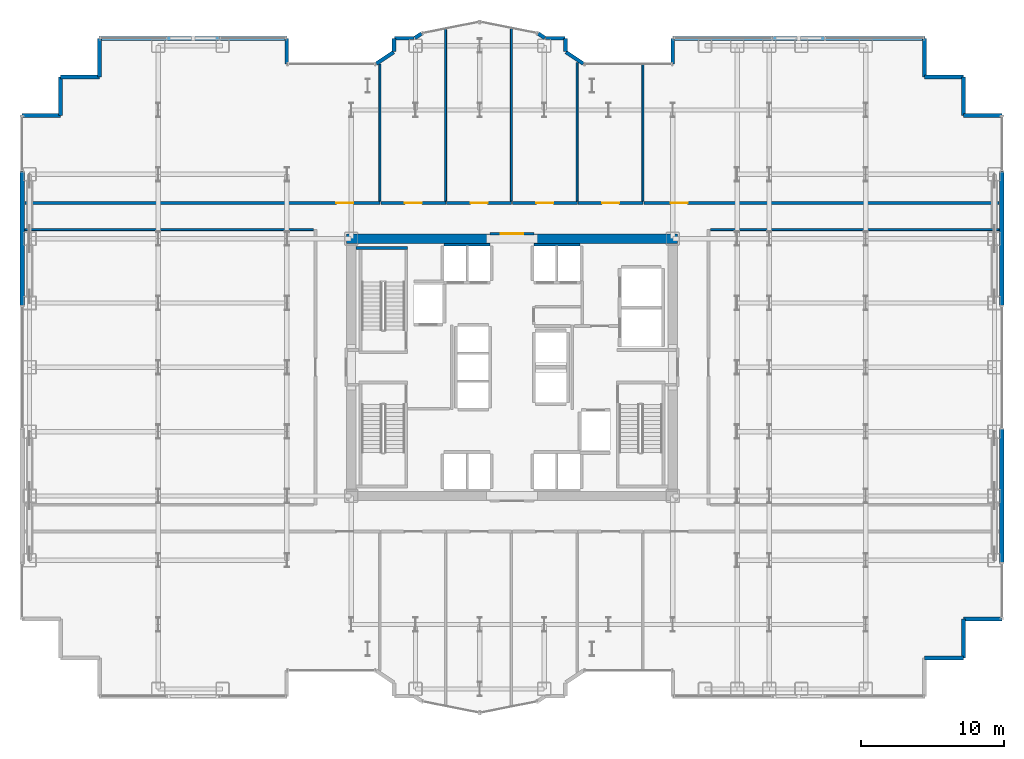
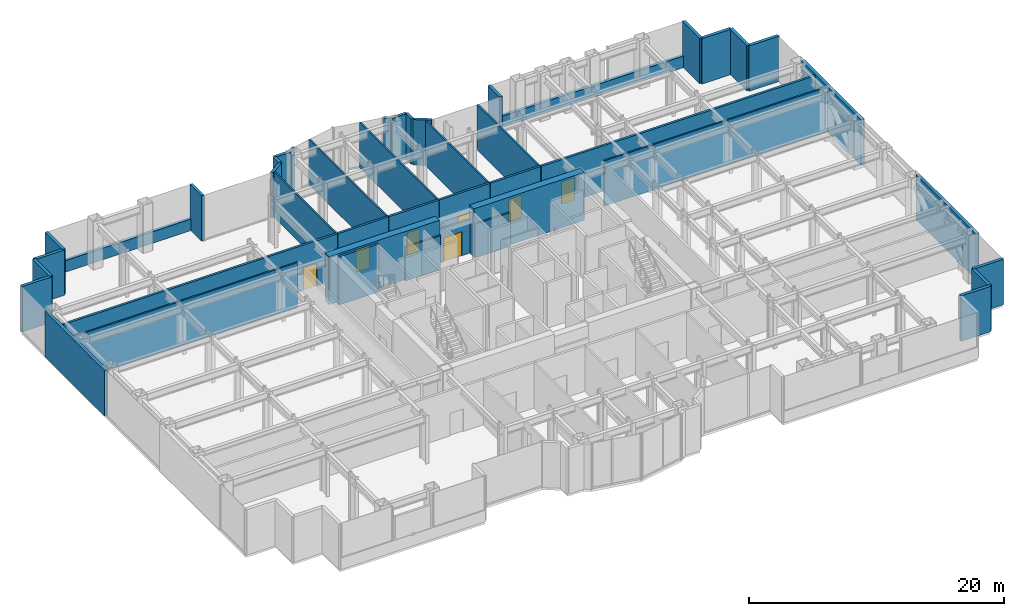
# One storey, part 25 of 30: 45 walls, 7 doors, 7 openings.
"""IFC4 building model written with IfcOpenShell, lengths in metres."""

from ifc_helpers import new_model, si_unit, direction, frame, frame_2d, origin, place, context, subcontext, project, spatial, rectangle, extrude, source, transform, mapped, material, layer, layer_set, type_object, element, fill, save


model = new_model("IFC4")

# Units and contexts
model_context = context("Model", 3, precision=1e-05, world=origin(), true_north=direction((0.0, 1.0)))
body_context = subcontext(model_context, "Body", "Model", "MODEL_VIEW")
ifc_project = project(units=[si_unit("LENGTHUNIT", "METRE"), si_unit("AREAUNIT", "SQUARE_METRE"), si_unit("VOLUMEUNIT", "CUBIC_METRE"), si_unit("PLANEANGLEUNIT", "RADIAN"), si_unit("MASSUNIT", "GRAM", prefix="KILO")], contexts=[model_context])

# Site, building, storey
site_placement = place(None, origin())
site = spatial("IfcSite", under=ifc_project, at=site_placement, CompositionType="ELEMENT")
building_placement = place(site_placement, origin())
building = spatial("IfcBuilding", under=site, at=building_placement, Name="Nefas-Gora Pilgrimage Tower", CompositionType="ELEMENT")
storey_placement = place(building_placement, frame((0.0, 0.0, 86.199951171875)))
storey = spatial("IfcBuildingStorey", under=building, at=storey_placement, Name="L20", CompositionType="ELEMENT", Elevation=86.199951171875)

# Walls
ifc_material_1 = material(Name="Concrete C60/75", Category="concrete")
ifc_layer_1 = layer(ifc_material_1, 0.64990234375)
ifc_layer_set_1 = layer_set([ifc_layer_1], Name="Concrete C60/75")
wall_type_1 = type_object("IfcWallType", Name="SW-CORE-650", PredefinedType="SHEAR", material=ifc_layer_set_1)
shared_shape_1 = source(origin(), body_context, "Body", "SweptSolid", [
    extrude(rectangle(XDim=10.02490234375, YDim=0.64990234375, at=frame_2d((5.012451171875, 0.0))), origin(), (0.0, 0.0, 1.0), 4.60009765625),
])
for number, where, z_axis, x_axis, name in (
    (1, (-11.574951171875, 9.0, 0.0), (0.0, 0.0, 1.0), (1.0, 0.0, 0.0), "L20 Core Shear Wall N-West"),
    (2, (1.550048828125, 9.0, 0.0), (0.0, 0.0, 1.0), (1.0, 0.0, 0.0), "L20 Core Shear Wall N-East"),
):
    element("IfcWall", number, at=place(storey_placement, frame(where, z_axis=z_axis, x_axis=x_axis)), inside=storey, type_object=wall_type_1, Name=name, PredefinedType="SHEAR", context=body_context, shape_type="MappedRepresentation", body=[
        mapped(shared_shape_1, transform((0.0, 0.0, 0.0), x_axis=(1.0, 0.0, 0.0), y_axis=(0.0, 1.0, 0.0), z_axis=(0.0, 0.0, 1.0), scale=1.0)),
    ])
ifc_material_2 = material(Name="Precast concrete C45/55", Category="concrete")
ifc_layer_2 = layer(ifc_material_2, 0.239990234375)
ifc_layer_set_2 = layer_set([ifc_layer_2], Name="Precast concrete C45/55")
wall_type_2 = type_object("IfcWallType", Name="EW-SERR-240", PredefinedType="SHEAR", material=ifc_layer_set_2)
shared_shape_2 = source(origin(), body_context, "Body", "SweptSolid", [
    extrude(rectangle(XDim=9.3798828125, YDim=0.300048828125, at=frame_2d((4.68994140625, 0.0))), origin(), (0.0, 0.0, 1.0), 4.35009765625),
])
for number, where, z_axis, x_axis, name in (
    (3, (-34.27001953125, 4.31005859375, 0.0), (0.0, 0.0, 1.0), (0.0, 1.0, 0.0), "L20 Belt-Truss Precast Shear Cladding 2"),
    (4, (34.27001953125, -13.68994140625, 0.0), (0.0, 0.0, 1.0), (0.0, 1.0, 0.0), "L20 Belt-Truss Precast Shear Cladding 3"),
    (5, (34.27001953125, 4.31005859375, 0.0), (0.0, 0.0, 1.0), (0.0, 1.0, 0.0), "L20 Belt-Truss Precast Shear Cladding 4"),
):
    element("IfcWall", number, at=place(storey_placement, frame(where, z_axis=z_axis, x_axis=x_axis)), inside=storey, type_object=wall_type_2, Name=name, PredefinedType="SHEAR", context=body_context, shape_type="MappedRepresentation", body=[
        mapped(shared_shape_2, transform((0.0, 0.0, 0.0), x_axis=(1.0, 0.0, 0.0), y_axis=(0.0, 1.0, 0.0), z_axis=(0.0, 0.0, 1.0), scale=1.0)),
    ])
ifc_material_3 = material(Name="Precast concrete C40/50", Category="concrete")
ifc_layer_3 = layer(ifc_material_3, 0.260009765625)
ifc_layer_set_3 = layer_set([ifc_layer_3], Name="Precast concrete C40/50")
wall_type_3 = type_object("IfcWallType", Name="EW-PORTAL-260", PredefinedType="SOLIDWALL", material=ifc_layer_set_3)
shared_shape_3 = source(origin(), body_context, "Body", "SweptSolid", [
    extrude(rectangle(XDim=1.800048828125, YDim=0.260009765625, at=frame_2d((0.89990234375, 0.0))), origin(), (0.0, 0.0, 1.0), 4.35009765625),
])
for number, where, z_axis, x_axis, name in (
    (6, (11.25, 23.02001953125, 0.0), (0.0, 0.0, 1.0), (0.0, -1.0, 0.0), "L20 Lobe Shoulder Precast Spandrel Pier 16"),
    (7, (-15.75, 21.219970703125, 0.0), (0.0, 0.0, 1.0), (0.0, 1.0, 0.0), "L20 Lobe Shoulder Precast Spandrel Pier 25"),
):
    element("IfcWall", number, at=place(storey_placement, frame(where, z_axis=z_axis, x_axis=x_axis)), inside=storey, type_object=wall_type_3, Name=name, PredefinedType="SOLIDWALL", context=body_context, shape_type="MappedRepresentation", body=[
        mapped(shared_shape_3, transform((0.0, 0.0, 0.0), x_axis=(1.0, 0.0, 0.0), y_axis=(0.0, 1.0, 0.0), z_axis=(0.0, 0.0, 1.0), scale=1.0)),
    ])
ifc_layer_4 = layer(ifc_material_2, 0.280029296875)
ifc_layer_set_4 = layer_set([ifc_layer_4], Name="Precast concrete C45/55")
wall_type_4 = type_object("IfcWallType", Name="EW-PLANT-280", PredefinedType="SOLIDWALL", material=ifc_layer_set_4)
shared_shape_4 = source(origin(), body_context, "Body", "SweptSolid", [
    extrude(rectangle(XDim=17.6201171875, YDim=0.280029296875, at=frame_2d((8.81005859375, 0.0))), origin(), (0.0, 0.0, 1.0), 1.10009765625),
])
wall_1_placement = place(storey_placement, frame((28.8701171875, 23.02001953125, 0.0), z_axis=(0.0, 0.0, 1.0), x_axis=(-1.0, 0.0, 0.0)))
element("IfcWall", 8, at=wall_1_placement, inside=storey, type_object=wall_type_4, Name="L20 Plant Upstand Spandrel Wall 15", PredefinedType="SOLIDWALL", context=body_context, shape_type="MappedRepresentation", body=[
    mapped(shared_shape_4, transform((0.0, 0.0, 0.0), x_axis=(1.0, 0.0, 0.0), y_axis=(0.0, 1.0, 0.0), z_axis=(0.0, 0.0, 1.0), scale=1.0)),
])
shared_shape_5 = source(origin(), body_context, "Body", "SweptSolid", [
    extrude(rectangle(XDim=2.699951171875, YDim=0.280029296875, at=frame_2d((1.35009765625, 0.0))), origin(), (0.0, 0.0, 1.0), 4.35009765625),
])
for number, where, z_axis, x_axis, name in (
    (9, (28.8701171875, -20.320068359375, 0.0), (0.0, 0.0, 1.0), (1.0, 0.0, 0.0), "L20 Serrated Corner Shear Pier Wall 8"),
    (10, (31.570068359375, -20.320068359375, 0.0), (0.0, 0.0, 1.0), (0.0, 1.0, 0.0), "L20 Serrated Corner Shear Pier Wall 9"),
    (11, (31.570068359375, -17.6201171875, 0.0), (0.0, 0.0, 1.0), (1.0, 0.0, 0.0), "L20 Serrated Corner Shear Pier Wall 10"),
    (12, (34.27001953125, 17.6201171875, 0.0), (0.0, 0.0, 1.0), (-1.0, 0.0, 0.0), "L20 Serrated Corner Shear Pier Wall 11"),
    (13, (31.570068359375, 17.6201171875, 0.0), (0.0, 0.0, 1.0), (0.0, 1.0, 0.0), "L20 Serrated Corner Shear Pier Wall 12"),
    (14, (31.570068359375, 20.320068359375, 0.0), (0.0, 0.0, 1.0), (-1.0, 0.0, 0.0), "L20 Serrated Corner Shear Pier Wall 13"),
    (15, (28.8701171875, 20.320068359375, 0.0), (0.0, 0.0, 1.0), (0.0, 1.0, 0.0), "L20 Serrated Corner Shear Pier Wall 14"),
    (16, (-28.8701171875, 23.02001953125, 0.0), (0.0, 0.0, 1.0), (0.0, -1.0, 0.0), "L20 Serrated Corner Shear Pier Wall 27"),
    (17, (-28.8701171875, 20.320068359375, 0.0), (0.0, 0.0, 1.0), (-1.0, 0.0, 0.0), "L20 Serrated Corner Shear Pier Wall 28"),
    (18, (-31.570068359375, 20.320068359375, 0.0), (0.0, 0.0, 1.0), (0.0, -1.0, 0.0), "L20 Serrated Corner Shear Pier Wall 29"),
    (19, (-31.570068359375, 17.6201171875, 0.0), (0.0, 0.0, 1.0), (-1.0, 0.0, 0.0), "L20 Serrated Corner Shear Pier Wall 30"),
):
    element("IfcWall", number, at=place(storey_placement, frame(where, z_axis=z_axis, x_axis=x_axis)), inside=storey, type_object=wall_type_4, Name=name, PredefinedType="SOLIDWALL", context=body_context, shape_type="MappedRepresentation", body=[
        mapped(shared_shape_5, transform((0.0, 0.0, 0.0), x_axis=(1.0, 0.0, 0.0), y_axis=(0.0, 1.0, 0.0), z_axis=(0.0, 0.0, 1.0), scale=1.0)),
    ])
shared_shape_6 = source(origin(), body_context, "Body", "SweptSolid", [
    extrude(rectangle(XDim=1.468994140625, YDim=0.260009765625, at=frame_2d((0.734375, 0.0))), origin(), (0.0, 0.0, 1.0), 4.35009765625),
])
for number, where, z_axis, x_axis, name in (
    (20, (4.99462890625, 21.235595703125, 0.0), (0.0, 0.0, 1.0), (-0.831461760506, 0.555581983884, 0.0), "L20 Lobe Shoulder Precast Spandrel Pier 17"),
    (21, (-8.273193359375, 22.0517578125, 0.0), (0.0, 0.0, 1.0), (-0.831461760506, -0.555581983884, 0.0), "L20 Lobe Shoulder Precast Spandrel Pier 24"),
):
    element("IfcWall", number, at=place(storey_placement, frame(where, z_axis=z_axis, x_axis=x_axis)), inside=storey, type_object=wall_type_3, Name=name, PredefinedType="SOLIDWALL", context=body_context, shape_type="MappedRepresentation", body=[
        mapped(shared_shape_6, transform((0.0, 0.0, 0.0), x_axis=(1.0, 0.0, 0.0), y_axis=(0.0, 1.0, 0.0), z_axis=(0.0, 0.0, 1.0), scale=1.0)),
    ])
shared_shape_7 = source(origin(), body_context, "Body", "SweptSolid", [
    extrude(rectangle(XDim=0.896728515625, YDim=0.260009765625, at=frame_2d((0.4482421875, 0.0))), origin(), (0.0, 0.0, 1.0), 4.35009765625),
])
for number, where, z_axis, x_axis, name in (
    (22, (3.75, 22.09521484375, 0.0), (0.0, 0.0, 1.0), (0.0, 1.0, 0.0), "L20 Lobe Shoulder Precast Spandrel Pier 18"),
    (23, (-8.25, 22.991943359375, 0.0), (0.0, 0.0, 1.0), (0.0, -1.0, 0.0), "L20 Lobe Shoulder Precast Spandrel Pier 23"),
):
    element("IfcWall", number, at=place(storey_placement, frame(where, z_axis=z_axis, x_axis=x_axis)), inside=storey, type_object=wall_type_3, Name=name, PredefinedType="SOLIDWALL", context=body_context, shape_type="MappedRepresentation", body=[
        mapped(shared_shape_7, transform((0.0, 0.0, 0.0), x_axis=(1.0, 0.0, 0.0), y_axis=(0.0, 1.0, 0.0), z_axis=(0.0, 0.0, 1.0), scale=1.0)),
    ])
shared_shape_8 = source(origin(), body_context, "Body", "SweptSolid", [
    extrude(rectangle(XDim=1.369873046875, YDim=0.260009765625, at=frame_2d((0.68505859375, 0.0))), origin(), (0.0, 0.0, 1.0), 4.35009765625),
])
for number, where, z_axis, x_axis, name in (
    (24, (3.721923828125, 23.02001953125, 0.0), (0.0, 0.0, 1.0), (-1.0, 0.0, 0.0), "L20 Lobe Shoulder Precast Spandrel Pier 19"),
    (25, (-6.85205078125, 23.02001953125, 0.0), (0.0, 0.0, 1.0), (-1.0, 0.0, 0.0), "L20 Lobe Shoulder Precast Spandrel Pier 22"),
):
    element("IfcWall", number, at=place(storey_placement, frame(where, z_axis=z_axis, x_axis=x_axis)), inside=storey, type_object=wall_type_3, Name=name, PredefinedType="SOLIDWALL", context=body_context, shape_type="MappedRepresentation", body=[
        mapped(shared_shape_8, transform((0.0, 0.0, 0.0), x_axis=(1.0, 0.0, 0.0), y_axis=(0.0, 1.0, 0.0), z_axis=(0.0, 0.0, 1.0), scale=1.0)),
    ])
shared_shape_9 = source(origin(), body_context, "Body", "SweptSolid", [
    extrude(rectangle(XDim=0.5654296875, YDim=0.260009765625, at=frame_2d((0.28271484375, 0.0))), origin(), (0.0, 0.0, 1.0), 4.35009765625),
])
for number, where, z_axis, x_axis, name in (
    (26, (2.30078125, 23.03564453125, 0.0), (0.0, 0.0, 1.0), (-0.831651492666, 0.555297933317, 0.0), "L20 Lobe Shoulder Precast Spandrel Pier 20"),
    (27, (-6.33056640625, 23.349609375, 0.0), (0.0, 0.0, 1.0), (-0.831651492666, -0.555297933317, 0.0), "L20 Lobe Shoulder Precast Spandrel Pier 21"),
):
    element("IfcWall", number, at=place(storey_placement, frame(where, z_axis=z_axis, x_axis=x_axis)), inside=storey, type_object=wall_type_3, Name=name, PredefinedType="SOLIDWALL", context=body_context, shape_type="MappedRepresentation", body=[
        mapped(shared_shape_9, transform((0.0, 0.0, 0.0), x_axis=(1.0, 0.0, 0.0), y_axis=(0.0, 1.0, 0.0), z_axis=(0.0, 0.0, 1.0), scale=1.0)),
    ])
shared_shape_10 = source(origin(), body_context, "Body", "SweptSolid", [
    extrude(rectangle(XDim=13.1201171875, YDim=0.280029296875, at=frame_2d((6.56005859375, 0.0))), origin(), (0.0, 0.0, 1.0), 1.10009765625),
])
wall_2_placement = place(storey_placement, frame((-15.75, 23.02001953125, 0.0), z_axis=(0.0, 0.0, 1.0), x_axis=(-1.0, 0.0, 0.0)))
element("IfcWall", 28, at=wall_2_placement, inside=storey, type_object=wall_type_4, Name="L20 Plant Upstand Spandrel Wall 26", PredefinedType="SOLIDWALL", context=body_context, shape_type="MappedRepresentation", body=[
    mapped(shared_shape_10, transform((0.0, 0.0, 0.0), x_axis=(1.0, 0.0, 0.0), y_axis=(0.0, 1.0, 0.0), z_axis=(0.0, 0.0, 1.0), scale=1.0)),
])
ifc_material_4 = material(Name="Concrete C45/55", Category="concrete")
ifc_layer_5 = layer(ifc_material_4, 0.199951171875)
ifc_layer_set_5 = layer_set([ifc_layer_5], Name="Concrete C45/55")
wall_type_5 = type_object("IfcWallType", Name="IW-STAIR-200", PredefinedType="SOLIDWALL", material=ifc_layer_set_5)
shared_shape_11 = source(origin(), body_context, "Body", "SweptSolid", [
    extrude(rectangle(XDim=3.6298828125, YDim=0.199951171875, at=frame_2d((1.81494140625, 0.0))), origin(), (0.0, 0.0, 1.0), 4.60009765625),
])
wall_3_placement = place(storey_placement, frame((-7.300048828125, 8.35009765625, 0.0), z_axis=(0.0, 0.0, 1.0), x_axis=(-1.0, 0.0, 0.0)))
element("IfcWall", 29, at=wall_3_placement, inside=storey, type_object=wall_type_5, Name="L20 Stairwell Shear Wall ST-01-far", PredefinedType="SOLIDWALL", context=body_context, shape_type="MappedRepresentation", body=[
    mapped(shared_shape_11, transform((0.0, 0.0, 0.0), x_axis=(1.0, 0.0, 0.0), y_axis=(0.0, 1.0, 0.0), z_axis=(0.0, 0.0, 1.0), scale=1.0)),
])
ifc_material_5 = material(Name="Gypsum acoustic stud partition")
ifc_layer_6 = layer(ifc_material_5, 0.159912109375)
ifc_layer_set_6 = layer_set([ifc_layer_6], Name="Gypsum acoustic stud partition")
wall_type_6 = type_object("IfcWallType", Name="IW-CORR-160", PredefinedType="PARTITIONING", material=ifc_layer_set_6)
shared_shape_12 = source(origin(), body_context, "Body", "SweptSolid", [
    extrude(rectangle(XDim=3.199951171875, YDim=0.159912109375, at=frame_2d((1.60009765625, 0.0))), origin(), (0.0, 0.0, 1.0), 3.22509765625),
])
for number, where, z_axis, x_axis, name in (
    (30, (-1.550048828125, 8.580078125, 0.0), (0.0, 0.0, 1.0), (-1.0, 0.0, 0.0), "L20 Hoistway Wall PL1-W-N"),
    (31, (4.75, 8.580078125, 0.0), (0.0, 0.0, 1.0), (-1.0, 0.0, 0.0), "L20 Hoistway Wall PL1-E-N"),
):
    element("IfcWall", number, at=place(storey_placement, frame(where, z_axis=z_axis, x_axis=x_axis)), inside=storey, type_object=wall_type_6, Name=name, PredefinedType="PARTITIONING", context=body_context, shape_type="MappedRepresentation", body=[
        mapped(shared_shape_12, transform((0.0, 0.0, 0.0), x_axis=(1.0, 0.0, 0.0), y_axis=(0.0, 1.0, 0.0), z_axis=(0.0, 0.0, 1.0), scale=1.0)),
    ])

# Wall, opening, door
shared_shape_13 = source(origin(), body_context, "Body", "SweptSolid", [
    extrude(rectangle(XDim=3.08984375, YDim=0.159912109375, at=frame_2d((1.544921875, 0.0))), origin(), (0.0, 0.0, 1.0), 3.22509765625),
])
wall_4_placement = place(storey_placement, frame((-1.544921875, 9.35009765625, 0.0), z_axis=(0.0, 0.0, 1.0), x_axis=(1.0, 0.0, 0.0)))
wall_4 = element("IfcWall", 32, at=wall_4_placement, inside=storey, type_object=wall_type_6, Name="L20 Central Lift Lobby North Portal Wall 14", PredefinedType="PARTITIONING", context=body_context, shape_type="MappedRepresentation", body=[
    mapped(shared_shape_13, transform((0.0, 0.0, 0.0), x_axis=(1.0, 0.0, 0.0), y_axis=(0.0, 1.0, 0.0), z_axis=(0.0, 0.0, 1.0), scale=1.0)),
])
opening_1_placement = place(wall_4_placement, frame((0.7451171875, 0.0, 0.0)))
opening_1 = element("IfcOpeningElement", 33, at=opening_1_placement, cuts=wall_4, Name="Opening ID-HL1", PredefinedType="OPENING", context=body_context, shape_type="SweptSolid", body=[
    extrude(rectangle(XDim=1.60009765625, YDim=2.300048828125, at=frame_2d((0.800048828125, 1.14990234375))), frame((0.0, 0.08984375, 0.0), z_axis=(0.0, -1.0, 0.0), x_axis=(1.0, 0.0, 0.0)), (0.0, 0.0, 1.0), 0.179931640625),
])
ifc_material_6 = material(Name="Double acoustic timber assembly hall door", Category="wood")
door_type_1 = type_object("IfcDoorType", Name="DR-INT-HALL-1600", OperationType="DOUBLE_DOOR_SINGLE_SWING", PredefinedType="DOOR", material=ifc_material_6)
shared_shape_14 = source(origin(), body_context, "Body", "SweptSolid", [
    extrude(rectangle(XDim=1.60009765625, YDim=2.300048828125, at=frame_2d((0.800048828125, 1.14990234375))), frame((0.0, 0.02490234375, 0.0), z_axis=(0.0, -1.0, 0.0), x_axis=(1.0, 0.0, 0.0)), (0.0, 0.0, 1.0), 0.050048828125),
])
door_1_placement = place(opening_1_placement, origin())
door_1 = element("IfcDoor", 34, at=door_1_placement, inside=storey, type_object=door_type_1, Name="L20 Central Lift Lobby North Portal Door 4", OperationType="DOUBLE_DOOR_SINGLE_SWING", OverallHeight=2.300048828125, OverallWidth=1.60009765625, PredefinedType="DOOR", context=body_context, shape_type="MappedRepresentation", body=[
    mapped(shared_shape_14, transform((0.0, 0.0, 0.0), x_axis=(1.0, 0.0, 0.0), y_axis=(0.0, 1.0, 0.0), z_axis=(0.0, 0.0, 1.0), scale=1.0)),
])
fill(opening_1, door_1)

# Walls
ifc_material_7 = material(Name="Gypsum twin-stud partition")
ifc_layer_7 = layer(ifc_material_7, 0.139892578125)
ifc_layer_set_7 = layer_set([ifc_layer_7], Name="Gypsum twin-stud partition")
wall_type_7 = type_object("IfcWallType", Name="IW-UNIT-140", PredefinedType="PARTITIONING", material=ifc_layer_set_7)
shared_shape_15 = source(origin(), body_context, "Body", "SweptSolid", [
    extrude(rectangle(XDim=20.190185546875, YDim=0.139892578125, at=frame_2d((10.09521484375, 0.0))), origin(), (0.0, 0.0, 1.0), 4.3349609375),
])
for number, where, z_axis, x_axis, name in (
    (35, (-34.080078125, 9.6298828125, 0.0), (0.0, 0.0, 1.0), (1.0, 0.0, 0.0), "L20 Refuge Area West Partition Wall 21"),
    (36, (13.889892578125, 9.6298828125, 0.0), (0.0, 0.0, 1.0), (1.0, 0.0, 0.0), "L20 Refuge Area East Partition Wall 23"),
):
    element("IfcWall", number, at=place(storey_placement, frame(where, z_axis=z_axis, x_axis=x_axis)), inside=storey, type_object=wall_type_7, Name=name, PredefinedType="PARTITIONING", context=body_context, shape_type="MappedRepresentation", body=[
        mapped(shared_shape_15, transform((0.0, 0.0, 0.0), x_axis=(1.0, 0.0, 0.0), y_axis=(0.0, 1.0, 0.0), z_axis=(0.0, 0.0, 1.0), scale=1.0)),
    ])

# Wall, opening, door
ifc_material_8 = material(Name="Concrete C40/50", Category="concrete")
ifc_layer_8 = layer(ifc_material_8, 0.199951171875)
ifc_layer_set_8 = layer_set([ifc_layer_8], Name="Concrete C40/50")
wall_type_8 = type_object("IfcWallType", Name="IW-PLANT-200", PredefinedType="SOLIDWALL", material=ifc_layer_set_8)
shared_shape_16 = source(origin(), body_context, "Body", "SweptSolid", [
    extrude(rectangle(XDim=24.85009765625, YDim=0.199951171875, at=frame_2d((12.425048828125, 0.0))), origin(), (0.0, 0.0, 1.0), 4.3349609375),
])
wall_5_placement = place(storey_placement, frame((-34.080078125, 11.489990234375, 0.0), z_axis=(0.0, 0.0, 1.0), x_axis=(1.0, 0.0, 0.0)))
wall_5 = element("IfcWall", 37, at=wall_5_placement, inside=storey, type_object=wall_type_8, Name="L20 Water-Cooled Chiller Plant Room Partition Wall 25", PredefinedType="SOLIDWALL", context=body_context, shape_type="MappedRepresentation", body=[
    mapped(shared_shape_16, transform((0.0, 0.0, 0.0), x_axis=(1.0, 0.0, 0.0), y_axis=(0.0, 1.0, 0.0), z_axis=(0.0, 0.0, 1.0), scale=1.0)),
])
opening_2_placement = place(wall_5_placement, frame((21.7861328125, 0.0, 0.0)))
opening_2 = element("IfcOpeningElement", 38, at=opening_2_placement, cuts=wall_5, Name="Opening ID-PL1", PredefinedType="OPENING", context=body_context, shape_type="SweptSolid", body=[
    extrude(rectangle(XDim=1.199951171875, YDim=2.14990234375, at=frame_2d((0.60009765625, 1.074951171875))), frame((0.0, 0.10986328125, 0.0), z_axis=(0.0, -1.0, 0.0), x_axis=(1.0, 0.0, 0.0)), (0.0, 0.0, 1.0), 0.219970703125),
])
ifc_material_9 = material(Name="Heavy-duty steel plant room fire door", Category="steel")
door_type_2 = type_object("IfcDoorType", Name="DR-INT-PLANT-1200", OperationType="NOTDEFINED", PredefinedType="DOOR", material=ifc_material_9)
shared_shape_17 = source(origin(), body_context, "Body", "SweptSolid", [
    extrude(rectangle(XDim=1.199951171875, YDim=2.14990234375, at=frame_2d((0.60009765625, 1.074951171875))), frame((0.0, 0.02490234375, 0.0), z_axis=(0.0, -1.0, 0.0), x_axis=(1.0, 0.0, 0.0)), (0.0, 0.0, 1.0), 0.050048828125),
])
door_2_placement = place(opening_2_placement, origin())
door_2 = element("IfcDoor", 39, at=door_2_placement, inside=storey, type_object=door_type_2, Name="L20 Water-Cooled Chiller Plant Room Door 9", OperationType="SINGLE_SWING_RIGHT", OverallHeight=2.14990234375, OverallWidth=1.199951171875, PredefinedType="DOOR", context=body_context, shape_type="MappedRepresentation", body=[
    mapped(shared_shape_17, transform((0.0, 0.0, 0.0), x_axis=(1.0, 0.0, 0.0), y_axis=(0.0, 1.0, 0.0), z_axis=(0.0, 0.0, 1.0), scale=1.0)),
])
fill(opening_2, door_2)

wall_6_placement = place(storey_placement, frame((9.22998046875, 11.489990234375, 0.0), z_axis=(0.0, 0.0, 1.0), x_axis=(1.0, 0.0, 0.0)))
wall_6 = element("IfcWall", 40, at=wall_6_placement, inside=storey, type_object=wall_type_8, Name="L20 MV Transformer and Switchgear Plant Room Partition Wall 35", PredefinedType="SOLIDWALL", context=body_context, shape_type="MappedRepresentation", body=[
    mapped(shared_shape_16, transform((0.0, 0.0, 0.0), x_axis=(1.0, 0.0, 0.0), y_axis=(0.0, 1.0, 0.0), z_axis=(0.0, 0.0, 1.0), scale=1.0)),
])
opening_3_placement = place(wall_6_placement, frame((1.864013671875, 0.0, 0.0)))
opening_3 = element("IfcOpeningElement", 41, at=opening_3_placement, cuts=wall_6, Name="Opening ID-PL1", PredefinedType="OPENING", context=body_context, shape_type="SweptSolid", body=[
    extrude(rectangle(XDim=1.199951171875, YDim=2.14990234375, at=frame_2d((0.60009765625, 1.074951171875))), frame((0.0, 0.10986328125, 0.0), z_axis=(0.0, -1.0, 0.0), x_axis=(1.0, 0.0, 0.0)), (0.0, 0.0, 1.0), 0.219970703125),
])
door_3_placement = place(opening_3_placement, origin())
door_3 = element("IfcDoor", 42, at=door_3_placement, inside=storey, type_object=door_type_2, Name="L20 MV Transformer and Switchgear Plant Room Door 14", OperationType="SINGLE_SWING_LEFT", OverallHeight=2.14990234375, OverallWidth=1.199951171875, PredefinedType="DOOR", context=body_context, shape_type="MappedRepresentation", body=[
    mapped(shared_shape_17, transform((0.0, 0.0, 0.0), x_axis=(1.0, 0.0, 0.0), y_axis=(0.0, 1.0, 0.0), z_axis=(0.0, 0.0, 1.0), scale=1.0)),
])
fill(opening_3, door_3)

# Wall
shared_shape_18 = source(origin(), body_context, "Body", "SweptSolid", [
    extrude(rectangle(XDim=9.573974609375, YDim=0.139892578125, at=frame_2d((4.787109375, 0.0))), origin(), (0.0, 0.0, 1.0), 4.3349609375),
])
wall_7_placement = place(storey_placement, frame((-9.239990234375, 11.6298828125, 0.0), z_axis=(0.0, 0.0, 1.0), x_axis=(0.0, 1.0, 0.0)))
element("IfcWall", 43, at=wall_7_placement, inside=storey, type_object=wall_type_7, Name="L20 Water-Cooled Chiller Plant Room Partition Wall 26", PredefinedType="PARTITIONING", context=body_context, shape_type="MappedRepresentation", body=[
    mapped(shared_shape_18, transform((0.0, 0.0, 0.0), x_axis=(1.0, 0.0, 0.0), y_axis=(0.0, 1.0, 0.0), z_axis=(0.0, 0.0, 1.0), scale=1.0)),
])

# Wall, opening, door
shared_shape_19 = source(origin(), body_context, "Body", "SweptSolid", [
    extrude(rectangle(XDim=4.5400390625, YDim=0.199951171875, at=frame_2d((2.27001953125, 0.0))), origin(), (0.0, 0.0, 1.0), 4.3349609375),
])
wall_8_placement = place(storey_placement, frame((-9.169921875, 11.489990234375, 0.0), z_axis=(0.0, 0.0, 1.0), x_axis=(1.0, 0.0, 0.0)))
wall_8 = element("IfcWall", 44, at=wall_8_placement, inside=storey, type_object=wall_type_8, Name="L20 Condenser Water Pump Plant Room Partition Wall 27", PredefinedType="SOLIDWALL", context=body_context, shape_type="MappedRepresentation", body=[
    mapped(shared_shape_19, transform((0.0, 0.0, 0.0), x_axis=(1.0, 0.0, 0.0), y_axis=(0.0, 1.0, 0.0), z_axis=(0.0, 0.0, 1.0), scale=1.0)),
])
opening_4_placement = place(wall_8_placement, frame((1.669921875, 0.0, 0.0)))
opening_4 = element("IfcOpeningElement", 45, at=opening_4_placement, cuts=wall_8, Name="Opening ID-PL1", PredefinedType="OPENING", context=body_context, shape_type="SweptSolid", body=[
    extrude(rectangle(XDim=1.199951171875, YDim=2.14990234375, at=frame_2d((0.60009765625, 1.074951171875))), frame((0.0, 0.10986328125, 0.0), z_axis=(0.0, -1.0, 0.0), x_axis=(1.0, 0.0, 0.0)), (0.0, 0.0, 1.0), 0.219970703125),
])
door_4_placement = place(opening_4_placement, origin())
door_4 = element("IfcDoor", 46, at=door_4_placement, inside=storey, type_object=door_type_2, Name="L20 Condenser Water Pump Plant Room Door 10", OperationType="SINGLE_SWING_LEFT", OverallHeight=2.14990234375, OverallWidth=1.199951171875, PredefinedType="DOOR", context=body_context, shape_type="MappedRepresentation", body=[
    mapped(shared_shape_17, transform((0.0, 0.0, 0.0), x_axis=(1.0, 0.0, 0.0), y_axis=(0.0, 1.0, 0.0), z_axis=(0.0, 0.0, 1.0), scale=1.0)),
])
fill(opening_4, door_4)

wall_9_placement = place(storey_placement, frame((-4.570068359375, 11.489990234375, 0.0), z_axis=(0.0, 0.0, 1.0), x_axis=(1.0, 0.0, 0.0)))
wall_9 = element("IfcWall", 47, at=wall_9_placement, inside=storey, type_object=wall_type_8, Name="L20 Plate Heat Exchanger Plant Room Partition Wall 29", PredefinedType="SOLIDWALL", context=body_context, shape_type="MappedRepresentation", body=[
    mapped(shared_shape_19, transform((0.0, 0.0, 0.0), x_axis=(1.0, 0.0, 0.0), y_axis=(0.0, 1.0, 0.0), z_axis=(0.0, 0.0, 1.0), scale=1.0)),
])
opening_5_placement = place(wall_9_placement, frame((1.669921875, 0.0, 0.0)))
opening_5 = element("IfcOpeningElement", 48, at=opening_5_placement, cuts=wall_9, Name="Opening ID-PL1", PredefinedType="OPENING", context=body_context, shape_type="SweptSolid", body=[
    extrude(rectangle(XDim=1.199951171875, YDim=2.14990234375, at=frame_2d((0.60009765625, 1.074951171875))), frame((0.0, 0.10986328125, 0.0), z_axis=(0.0, -1.0, 0.0), x_axis=(1.0, 0.0, 0.0)), (0.0, 0.0, 1.0), 0.219970703125),
])
door_5_placement = place(opening_5_placement, origin())
door_5 = element("IfcDoor", 49, at=door_5_placement, inside=storey, type_object=door_type_2, Name="L20 Plate Heat Exchanger Plant Room Door 11", OperationType="SINGLE_SWING_RIGHT", OverallHeight=2.14990234375, OverallWidth=1.199951171875, PredefinedType="DOOR", context=body_context, shape_type="MappedRepresentation", body=[
    mapped(shared_shape_17, transform((0.0, 0.0, 0.0), x_axis=(1.0, 0.0, 0.0), y_axis=(0.0, 1.0, 0.0), z_axis=(0.0, 0.0, 1.0), scale=1.0)),
])
fill(opening_5, door_5)

wall_10_placement = place(storey_placement, frame((0.030029296875, 11.489990234375, 0.0), z_axis=(0.0, 0.0, 1.0), x_axis=(1.0, 0.0, 0.0)))
wall_10 = element("IfcWall", 50, at=wall_10_placement, inside=storey, type_object=wall_type_8, Name="L20 High-Altitude Heat-Recovery AHU Plant Room Partition Wall 31", PredefinedType="SOLIDWALL", context=body_context, shape_type="MappedRepresentation", body=[
    mapped(shared_shape_19, transform((0.0, 0.0, 0.0), x_axis=(1.0, 0.0, 0.0), y_axis=(0.0, 1.0, 0.0), z_axis=(0.0, 0.0, 1.0), scale=1.0)),
])
opening_6_placement = place(wall_10_placement, frame((1.669921875, 0.0, 0.0)))
opening_6 = element("IfcOpeningElement", 51, at=opening_6_placement, cuts=wall_10, Name="Opening ID-PL1", PredefinedType="OPENING", context=body_context, shape_type="SweptSolid", body=[
    extrude(rectangle(XDim=1.199951171875, YDim=2.14990234375, at=frame_2d((0.60009765625, 1.074951171875))), frame((0.0, 0.10986328125, 0.0), z_axis=(0.0, -1.0, 0.0), x_axis=(1.0, 0.0, 0.0)), (0.0, 0.0, 1.0), 0.219970703125),
])
door_6_placement = place(opening_6_placement, origin())
door_6 = element("IfcDoor", 52, at=door_6_placement, inside=storey, type_object=door_type_2, Name="L20 High-Altitude Heat-Recovery AHU Plant Room Door 12", OperationType="SINGLE_SWING_LEFT", OverallHeight=2.14990234375, OverallWidth=1.199951171875, PredefinedType="DOOR", context=body_context, shape_type="MappedRepresentation", body=[
    mapped(shared_shape_17, transform((0.0, 0.0, 0.0), x_axis=(1.0, 0.0, 0.0), y_axis=(0.0, 1.0, 0.0), z_axis=(0.0, 0.0, 1.0), scale=1.0)),
])
fill(opening_6, door_6)

wall_11_placement = place(storey_placement, frame((4.6298828125, 11.489990234375, 0.0), z_axis=(0.0, 0.0, 1.0), x_axis=(1.0, 0.0, 0.0)))
wall_11 = element("IfcWall", 53, at=wall_11_placement, inside=storey, type_object=wall_type_8, Name="L20 Building Automation and Controls Plant Room Partition Wall 33", PredefinedType="SOLIDWALL", context=body_context, shape_type="MappedRepresentation", body=[
    mapped(shared_shape_19, transform((0.0, 0.0, 0.0), x_axis=(1.0, 0.0, 0.0), y_axis=(0.0, 1.0, 0.0), z_axis=(0.0, 0.0, 1.0), scale=1.0)),
])
opening_7_placement = place(wall_11_placement, frame((1.669921875, 0.0, 0.0)))
opening_7 = element("IfcOpeningElement", 54, at=opening_7_placement, cuts=wall_11, Name="Opening ID-PL1", PredefinedType="OPENING", context=body_context, shape_type="SweptSolid", body=[
    extrude(rectangle(XDim=1.199951171875, YDim=2.14990234375, at=frame_2d((0.60009765625, 1.074951171875))), frame((0.0, 0.10986328125, 0.0), z_axis=(0.0, -1.0, 0.0), x_axis=(1.0, 0.0, 0.0)), (0.0, 0.0, 1.0), 0.219970703125),
])
door_7_placement = place(opening_7_placement, origin())
door_7 = element("IfcDoor", 55, at=door_7_placement, inside=storey, type_object=door_type_2, Name="L20 Building Automation and Controls Plant Room Door 13", OperationType="SINGLE_SWING_RIGHT", OverallHeight=2.14990234375, OverallWidth=1.199951171875, PredefinedType="DOOR", context=body_context, shape_type="MappedRepresentation", body=[
    mapped(shared_shape_17, transform((0.0, 0.0, 0.0), x_axis=(1.0, 0.0, 0.0), y_axis=(0.0, 1.0, 0.0), z_axis=(0.0, 0.0, 1.0), scale=1.0)),
])
fill(opening_7, door_7)

# Walls
shared_shape_20 = source(origin(), body_context, "Body", "SweptSolid", [
    extrude(rectangle(XDim=12.103515625, YDim=0.139892578125, at=frame_2d((6.0517578125, 0.0))), origin(), (0.0, 0.0, 1.0), 4.3349609375),
])
wall_12_placement = place(storey_placement, frame((-4.639892578125, 11.6298828125, 0.0), z_axis=(0.0, 0.0, 1.0), x_axis=(0.0, 1.0, 0.0)))
element("IfcWall", 56, at=wall_12_placement, inside=storey, type_object=wall_type_7, Name="L20 Condenser Water Pump Plant Room Partition Wall 28", PredefinedType="PARTITIONING", context=body_context, shape_type="MappedRepresentation", body=[
    mapped(shared_shape_20, transform((0.0, 0.0, 0.0), x_axis=(1.0, 0.0, 0.0), y_axis=(0.0, 1.0, 0.0), z_axis=(0.0, 0.0, 1.0), scale=1.0)),
])
shared_shape_21 = source(origin(), body_context, "Body", "SweptSolid", [
    extrude(rectangle(XDim=12.123291015625, YDim=0.139892578125, at=frame_2d((6.0615234375, 0.0))), origin(), (0.0, 0.0, 1.0), 4.3349609375),
])
wall_13_placement = place(storey_placement, frame((-0.0400390625, 11.6298828125, 0.0), z_axis=(0.0, 0.0, 1.0), x_axis=(0.0, 1.0, 0.0)))
element("IfcWall", 57, at=wall_13_placement, inside=storey, type_object=wall_type_7, Name="L20 Plate Heat Exchanger Plant Room Partition Wall 30", PredefinedType="PARTITIONING", context=body_context, shape_type="MappedRepresentation", body=[
    mapped(shared_shape_21, transform((0.0, 0.0, 0.0), x_axis=(1.0, 0.0, 0.0), y_axis=(0.0, 1.0, 0.0), z_axis=(0.0, 0.0, 1.0), scale=1.0)),
])
shared_shape_22 = source(origin(), body_context, "Body", "SweptSolid", [
    extrude(rectangle(XDim=9.694091796875, YDim=0.139892578125, at=frame_2d((4.84716796875, 0.0))), origin(), (0.0, 0.0, 1.0), 4.3349609375),
])
wall_14_placement = place(storey_placement, frame((4.56005859375, 11.6298828125, 0.0), z_axis=(0.0, 0.0, 1.0), x_axis=(0.0, 1.0, 0.0)))
element("IfcWall", 58, at=wall_14_placement, inside=storey, type_object=wall_type_7, Name="L20 High-Altitude Heat-Recovery AHU Plant Room Partition Wall 32", PredefinedType="PARTITIONING", context=body_context, shape_type="MappedRepresentation", body=[
    mapped(shared_shape_22, transform((0.0, 0.0, 0.0), x_axis=(1.0, 0.0, 0.0), y_axis=(0.0, 1.0, 0.0), z_axis=(0.0, 0.0, 1.0), scale=1.0)),
])
shared_shape_23 = source(origin(), body_context, "Body", "SweptSolid", [
    extrude(rectangle(XDim=9.610107421875, YDim=0.139892578125, at=frame_2d((4.80517578125, 0.0))), origin(), (0.0, 0.0, 1.0), 4.3349609375),
])
wall_15_placement = place(storey_placement, frame((9.159912109375, 11.6298828125, 0.0), z_axis=(0.0, 0.0, 1.0), x_axis=(0.0, 1.0, 0.0)))
element("IfcWall", 59, at=wall_15_placement, inside=storey, type_object=wall_type_7, Name="L20 Building Automation and Controls Plant Room Partition Wall 34", PredefinedType="PARTITIONING", context=body_context, shape_type="MappedRepresentation", body=[
    mapped(shared_shape_23, transform((0.0, 0.0, 0.0), x_axis=(1.0, 0.0, 0.0), y_axis=(0.0, 1.0, 0.0), z_axis=(0.0, 0.0, 1.0), scale=1.0)),
])

save(model, "model.ifc")
